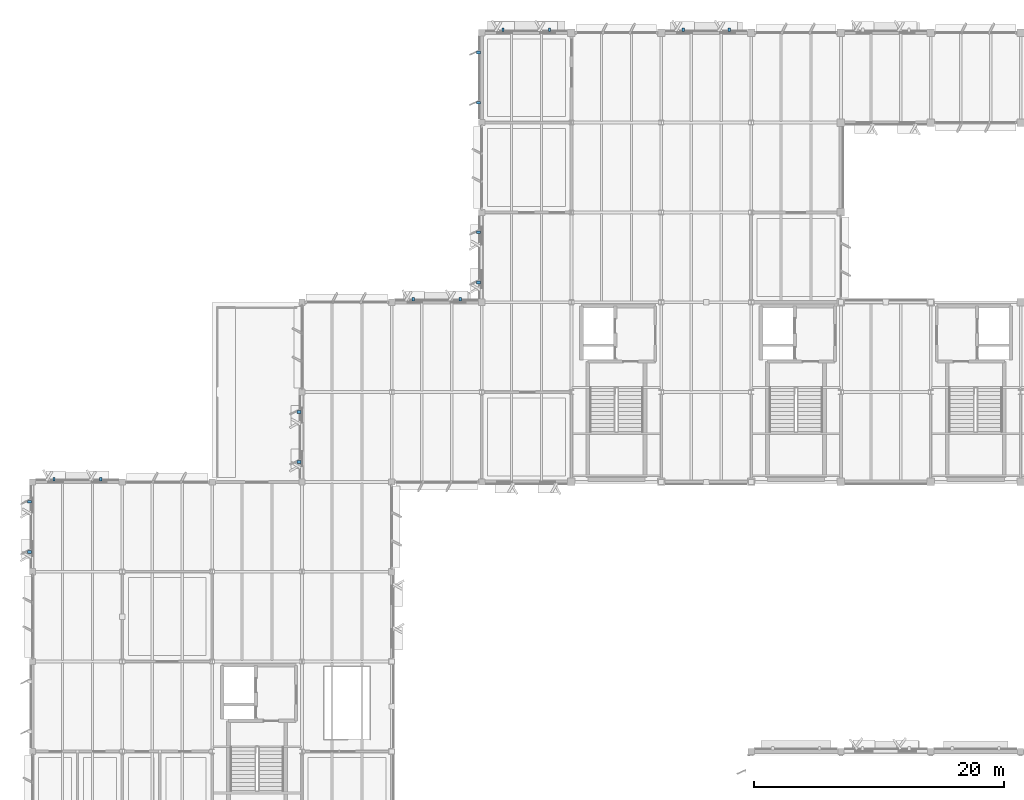
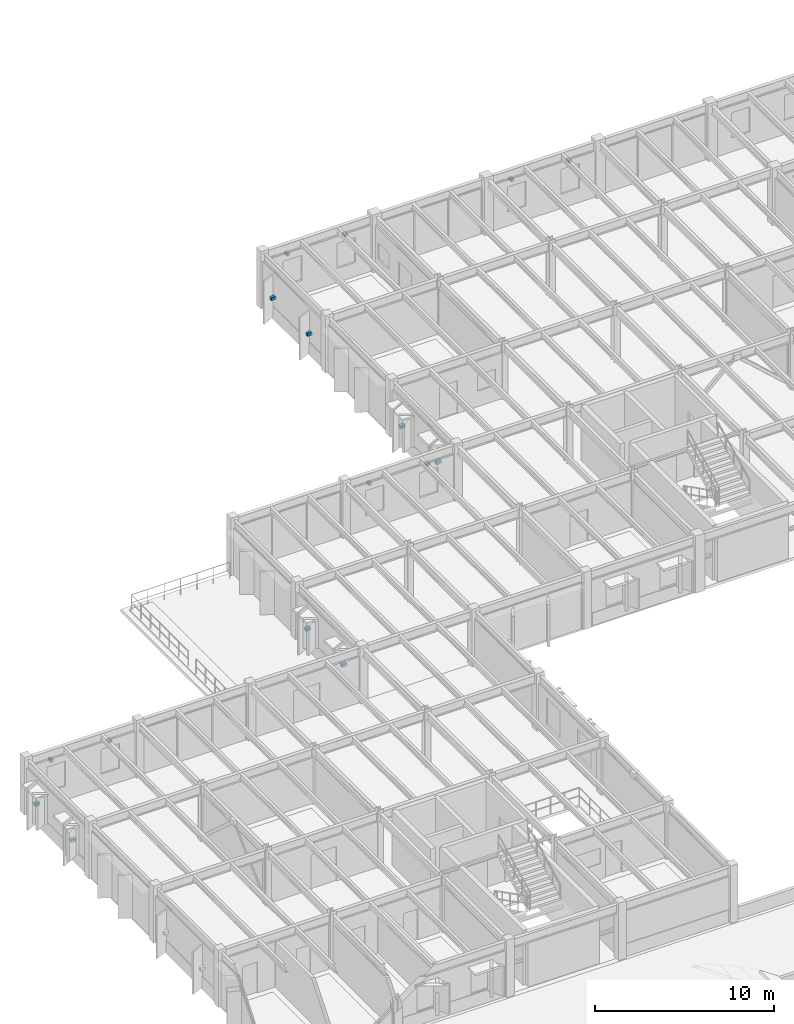
# One storey, part 45 of 82: 16 discrete accessories.
"""IFC4 building model written with IfcOpenShell, lengths in metres."""

from ifc_helpers import new_model, si_unit, direction, frame, origin, origin_2d, place, context, subcontext, project, spatial, rectangle, extrude, material, type_object, element, save


model = new_model("IFC4")

# Units and contexts
model_context = context("Model", 3, precision=1e-05, world=origin(), true_north=direction((0.0, 1.0)))
body_context = subcontext(model_context, "Body", "Model", "MODEL_VIEW")
ifc_project = project(units=[si_unit("LENGTHUNIT", "METRE"), si_unit("AREAUNIT", "SQUARE_METRE"), si_unit("VOLUMEUNIT", "CUBIC_METRE"), si_unit("PLANEANGLEUNIT", "RADIAN"), si_unit("MASSUNIT", "GRAM", prefix="KILO")], contexts=[model_context])

# Site, building, storey
site_placement = place(None, origin())
site = spatial("IfcSite", under=ifc_project, at=site_placement, CompositionType="ELEMENT")
building_placement = place(site_placement, origin())
building = spatial("IfcBuilding", under=site, at=building_placement, Name="Sillqori Civic Hall", CompositionType="ELEMENT")
storey_placement = place(building_placement, frame((0.0, 0.0, 14.10009765625)))
storey = spatial("IfcBuildingStorey", under=building, at=storey_placement, Name="L04", CompositionType="ELEMENT", Elevation=14.10009765625)

# Discrete accessories
ifc_material = material(Name="Steel ASTM A572 Grade 50", Category="steel")
discrete_accessory_type_1 = type_object("IfcDiscreteAccessoryType", Name="BRK-FAC-240", PredefinedType="BRACKET", material=ifc_material)
for number, where, z_axis, x_axis, name in (
    (1, (8.924072265625, 79.429931640625, 2.69970703125), (0.0, 0.0, 1.0), (1.0, 0.0, 0.0), "Sun-hood steel bracket L04-01-10-N.1"),
    (2, (12.676025390625, 79.429931640625, 2.69970703125), (0.0, 0.0, 1.0), (1.0, 0.0, 0.0), "Sun-hood steel bracket L04-01-10-N.2"),
    (3, (37.72412109375, 93.85009765625, 2.69970703125), (0.0, 0.0, 1.0), (1.0, 0.0, 0.0), "Sun-hood steel bracket L04-05-12-N.1"),
    (4, (41.47607421875, 93.85009765625, 2.69970703125), (0.0, 0.0, 1.0), (1.0, 0.0, 0.0), "Sun-hood steel bracket L04-05-12-N.2"),
    (5, (44.9130859375, 115.449951171875, 2.69970703125), (0.0, 0.0, 1.0), (1.0, 0.0, 0.0), "Sun-hood steel bracket L04-06-15-N.1"),
    (6, (48.636962890625, 115.449951171875, 2.69970703125), (0.0, 0.0, 1.0), (1.0, 0.0, 0.0), "Sun-hood steel bracket L04-06-15-N.2"),
    (7, (59.35205078125, 115.449951171875, 2.69970703125), (0.0, 0.0, 1.0), (1.0, 0.0, 0.0), "Sun-hood steel bracket L04-08-15-N.1"),
    (8, (63.048095703125, 115.449951171875, 2.69970703125), (0.0, 0.0, 1.0), (1.0, 0.0, 0.0), "Sun-hood steel bracket L04-08-15-N.2"),
):
    element("IfcDiscreteAccessory", number, at=place(storey_placement, frame(where, z_axis=z_axis, x_axis=x_axis)), inside=storey, type_object=discrete_accessory_type_1, Name=name, PredefinedType="BRACKET", context=body_context, shape_type="SweptSolid", body=[
        extrude(rectangle(XDim=0.179931640625, YDim=0.280029296875, at=origin_2d()), origin(), (0.0, 0.0, 1.0), 0.179931640625),
    ])
discrete_accessory_type_2 = type_object("IfcDiscreteAccessoryType", Name="BRK-FIN-280", PredefinedType="BRACKET", material=ifc_material)
for number, where, z_axis, x_axis, name in (
    (9, (6.9599609375, 73.590087890625, 1.48583984375), (0.0, 0.0, 1.0), (0.0, 1.0, 0.0), "Brise-soleil fin steel bracket L04-01-10-W.1"),
    (10, (6.9599609375, 77.610107421875, 1.48583984375), (0.0, 0.0, 1.0), (0.0, 1.0, 0.0), "Brise-soleil fin steel bracket L04-01-10-W.2"),
    (11, (28.5400390625, 80.7900390625, 1.48583984375), (0.0, 0.0, 1.0), (0.0, 1.0, 0.0), "Brise-soleil fin steel bracket L04-04-11-W.1"),
    (12, (28.5400390625, 84.81005859375, 1.48583984375), (0.0, 0.0, 1.0), (0.0, 1.0, 0.0), "Brise-soleil fin steel bracket L04-04-11-W.2"),
    (13, (42.93994140625, 95.18994140625, 1.49609375), (0.0, 0.0, 1.0), (0.0, 1.0, 0.0), "Brise-soleil fin steel bracket L04-06-13-W.1"),
    (14, (42.93994140625, 99.2099609375, 1.49609375), (0.0, 0.0, 1.0), (0.0, 1.0, 0.0), "Brise-soleil fin steel bracket L04-06-13-W.2"),
    (15, (42.93994140625, 109.590087890625, 1.49609375), (0.0, 0.0, 1.0), (0.0, 1.0, 0.0), "Brise-soleil fin steel bracket L04-06-15-W.1"),
    (16, (42.93994140625, 113.610107421875, 1.49609375), (0.0, 0.0, 1.0), (0.0, 1.0, 0.0), "Brise-soleil fin steel bracket L04-06-15-W.2"),
):
    element("IfcDiscreteAccessory", number, at=place(storey_placement, frame(where, z_axis=z_axis, x_axis=x_axis)), inside=storey, type_object=discrete_accessory_type_2, Name=name, PredefinedType="BRACKET", context=body_context, shape_type="SweptSolid", body=[
        extrude(rectangle(XDim=0.219970703125, YDim=0.320068359375, at=origin_2d()), origin(), (0.0, 0.0, 1.0), 0.199951171875),
    ])

save(model, "model.ifc")
